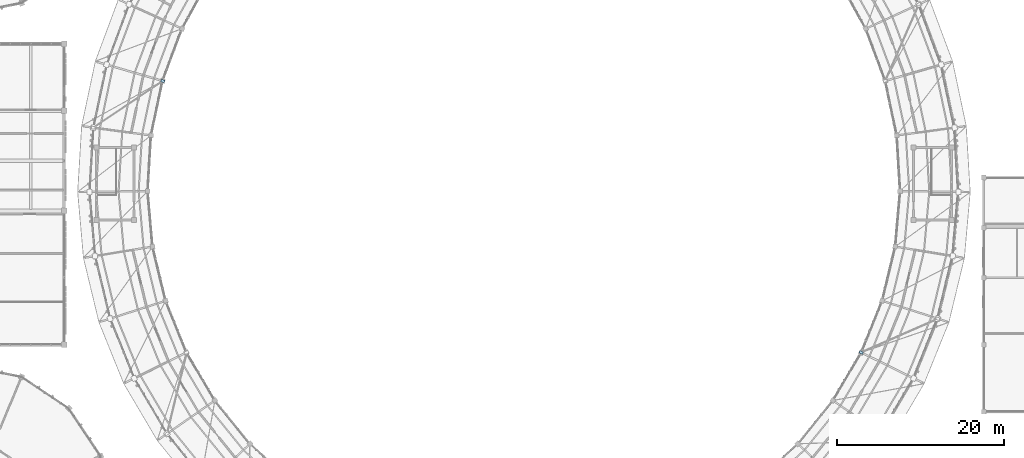
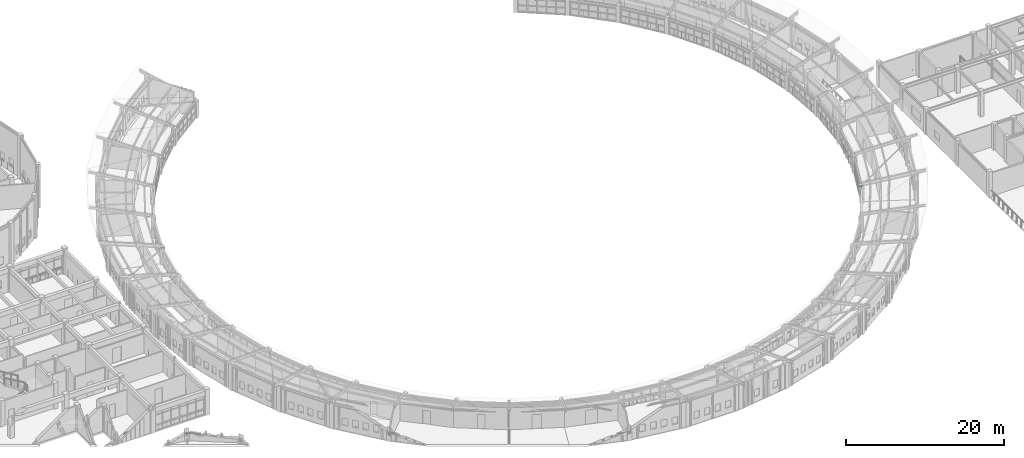
# One storey, part 113 of 149: 2 plates.
"""IFC4 building model written with IfcOpenShell, lengths in metres."""

import ifcopenshell
import ifcopenshell.guid

model = None  # the IFC model being written
_history = None  # IfcOwnerHistory: only IFC2X3 demands one
_inside = {}  # id of a spatial element -> (the spatial element, [elements in it])
_under = {}  # id of a project, library or spatial element -> (it, [spatial elements below it])
_declared = {}  # id of a project -> (the project, [libraries it declares])
_typed = {}  # id of a type object -> (the type object, [elements of that type])
_made_of = {}  # id of a material, layer set ... -> (it, [elements and type objects made of it])


def new_model(schema):
    """Start an empty IFC model of exactly this schema.

    Asked for "IFC4X3", IfcOpenShell would pick the latest addendum, in which some entities
    have other attributes; the version numbers below select the first issue.
    IFC2X3 requires an IfcOwnerHistory on every rooted entity: one is made here for all.
    """
    global model, _history
    if schema == "IFC4X3":
        model = ifcopenshell.file(schema_version=(4, 3, 0, 0))
    else:
        model = ifcopenshell.file(schema=schema)
    _inside.clear()
    _under.clear()
    _declared.clear()
    _typed.clear()
    _made_of.clear()
    _history = None
    if model.schema == "IFC2X3":
        org = make("IfcOrganization", Name="unknown")
        user = make(
            "IfcPersonAndOrganization",
            ThePerson=make("IfcPerson", FamilyName="unknown"),
            TheOrganization=org,
        )
        app = make(
            "IfcApplication",
            ApplicationDeveloper=org,
            Version="unknown",
            ApplicationFullName="unknown",
            ApplicationIdentifier="unknown",
        )
        _history = make(
            "IfcOwnerHistory",
            OwningUser=user,
            OwningApplication=app,
            ChangeAction="ADDED",
            CreationDate=0,
        )
    return model


def make(cls, **values):
    """One entity of the class cls with the attributes given. An attribute that is None is left unset."""
    return model.create_entity(
        cls, **{name: value for name, value in values.items() if value is not None}
    )


def rooted(cls, **values):
    """An entity with a GlobalId (a new one), such as an element, a storey or a relation."""
    return make(cls, GlobalId=ifcopenshell.guid.new(), OwnerHistory=_history, **values)


def si_unit(unit_type, name, prefix=None):
    """IfcSIUnit, for example si_unit("LENGTHUNIT", "METRE", prefix="MILLI")."""
    return make("IfcSIUnit", UnitType=unit_type, Prefix=prefix, Name=name)


def assignment(units):
    """IfcUnitAssignment: the units of a project."""
    return None if units is None else make("IfcUnitAssignment", Units=units)


def point(xyz):
    """IfcCartesianPoint."""
    return None if xyz is None else make("IfcCartesianPoint", Coordinates=xyz)


def direction(xyz):
    """IfcDirection."""
    return None if xyz is None else make("IfcDirection", DirectionRatios=xyz)


def frame(location, z_axis=None, x_axis=None):
    """IfcAxis2Placement3D, a coordinate frame: its origin and axes. An axis left out is left unset."""
    return make(
        "IfcAxis2Placement3D",
        Location=point(location),
        Axis=direction(z_axis),
        RefDirection=direction(x_axis),
    )


def frame_2d(location, x_axis=None):
    """IfcAxis2Placement2D, a coordinate frame in the plane: its origin and x axis."""
    return make(
        "IfcAxis2Placement2D", Location=point(location), RefDirection=direction(x_axis)
    )


def origin():
    """The frame at (0, 0, 0) with its axes left unset."""
    return frame((0.0, 0.0, 0.0))


def origin_2d():
    """The frame at (0, 0) in the plane with its x axis left unset."""
    return frame_2d((0.0, 0.0))


def place(relative_to, where):
    """IfcLocalPlacement: puts the frame where relative to a parent placement (None: the world)."""
    return make(
        "IfcLocalPlacement", PlacementRelTo=relative_to, RelativePlacement=where
    )


def context(
    kind, dimensions, precision=None, world=None, true_north=None, identifier=None
):
    """IfcGeometricRepresentationContext, for example the 3D "Model" context."""
    return make(
        "IfcGeometricRepresentationContext",
        ContextIdentifier=identifier,
        ContextType=kind,
        CoordinateSpaceDimension=dimensions,
        Precision=precision,
        WorldCoordinateSystem=world,
        TrueNorth=true_north,
    )


def subcontext(parent, identifier, kind, view, scale=None):
    """IfcGeometricRepresentationSubContext, for example "Body" below "Model"."""
    return make(
        "IfcGeometricRepresentationSubContext",
        ContextIdentifier=identifier,
        ContextType=kind,
        ParentContext=parent,
        TargetScale=scale,
        TargetView=view,
    )


def project(units=None, contexts=None):
    """IfcProject with its units and contexts."""
    return rooted(
        "IfcProject",
        Name="project",
        RepresentationContexts=contexts,
        UnitsInContext=assignment(units),
    )


def spatial(cls, under=None, at=None, **own):
    """A site, building, storey or space (cls), placed at a placement, below another one or the project."""
    s = rooted(cls, ObjectPlacement=at, **own)
    if under is not None:
        _under.setdefault(under.id(), (under, []))[1].append(s)
    return s


def profile(cls, at=None, kind="AREA", **sizes):
    """A parametric profile (cls). Its sizes go by their IFC names, for example OverallWidth=200.0."""
    return make(cls, ProfileType=kind, Position=at, **sizes)


def rectangle(**sizes):
    """IfcRectangleProfileDef."""
    return profile("IfcRectangleProfileDef", **sizes)


def extrude(swept, where, along, depth):
    """IfcExtrudedAreaSolid: the profile swept, set in the frame where, extruded along a direction by depth."""
    return make(
        "IfcExtrudedAreaSolid",
        SweptArea=swept,
        Position=where,
        ExtrudedDirection=direction(along),
        Depth=depth,
    )


def shape(context_of_items, identifier, shape_type, items):
    """IfcShapeRepresentation: the items that make up one representation, for example the "Body"."""
    return make(
        "IfcShapeRepresentation",
        ContextOfItems=context_of_items,
        RepresentationIdentifier=identifier,
        RepresentationType=shape_type,
        Items=items,
    )


def material(Name=None, Category=None):
    """IfcMaterial."""
    return make("IfcMaterial", Name=Name, Category=Category)


def layer(
    of_material, thickness, ventilated=None, Name=None, Category=None, Priority=None
):
    """IfcMaterialLayer: one layer of a wall or slab, of a material (None: an air gap)."""
    return make(
        "IfcMaterialLayer",
        Material=of_material,
        LayerThickness=thickness,
        IsVentilated=ventilated,
        Name=Name,
        Category=Category,
        Priority=Priority,
    )


def layer_set(layers, Name=None):
    """IfcMaterialLayerSet."""
    return make("IfcMaterialLayerSet", MaterialLayers=layers, LayerSetName=Name)


def made_of(thing, what):
    """Note that an element or type object is made of a material, layer set ...; save() writes the relation."""
    if what is not None:
        _made_of.setdefault(what.id(), (what, []))[1].append(thing)
    return thing


def type_object(cls, material=None, **own):
    """A type object (cls), such as IfcWallType, which elements share."""
    return made_of(rooted(cls, **own), material)


def element(
    cls,
    number,
    at=None,
    inside=None,
    cuts=None,
    type_object=None,
    material=None,
    context=None,
    identifier="Body",
    shape_type=None,
    held_by="IfcProductDefinitionShape",
    body=None,
    shapes=None,
    **own,
):
    """One element of the class cls, such as IfcWall. Its Tag is "e" and its number.

    at: its placement. inside: the storey or other place that contains it. cuts: it is an
    opening in that element (IfcRelVoidsElement). A single representation is given by context,
    identifier, shape_type and body (its items); several are given by shapes. held_by: the class
    of the entity that holds the representations. save() writes the other relations.
    """
    e = rooted(cls, Tag="e%d" % number, ObjectPlacement=at, **own)
    if body is not None:
        shapes = [shape(context, identifier, shape_type, body)]
    if shapes is not None:
        e.Representation = make(held_by, Representations=shapes)
    if inside is not None:
        _inside.setdefault(inside.id(), (inside, []))[1].append(e)
    if cuts is not None:
        rooted(
            "IfcRelVoidsElement", RelatingBuildingElement=cuts, RelatedOpeningElement=e
        )
    if type_object is not None:
        _typed.setdefault(type_object.id(), (type_object, []))[1].append(e)
    return made_of(e, material)


def aggregate(whole, parts):
    """IfcRelAggregates: a whole, such as a stair, and the parts it consists of."""
    return rooted("IfcRelAggregates", RelatingObject=whole, RelatedObjects=parts)


def save(model, path):
    """Write the relations noted so far, then the file.

    IfcRelAggregates (storeys below a building ...), IfcRelContainedInSpatialStructure (elements
    in a storey), IfcRelDefinesByType, IfcRelAssociatesMaterial and IfcRelDeclares: one each for
    every whole, place, type object, material and project.
    """
    for whole, parts in _under.values():
        aggregate(whole, parts)
    for where, things in _inside.values():
        rooted(
            "IfcRelContainedInSpatialStructure",
            RelatedElements=things,
            RelatingStructure=where,
        )
    for kind, things in _typed.values():
        rooted("IfcRelDefinesByType", RelatedObjects=things, RelatingType=kind)
    for what, things in _made_of.values():
        rooted("IfcRelAssociatesMaterial", RelatedObjects=things, RelatingMaterial=what)
    for by, libraries in _declared.values():
        rooted("IfcRelDeclares", RelatingContext=by, RelatedDefinitions=libraries)
    model.write(path)


model = new_model("IFC4")

# Units and contexts
model_context = context("Model", 3, precision=1e-05, world=origin(), true_north=direction((0.0, 1.0)))
body_context = subcontext(model_context, "Body", "Model", "MODEL_VIEW")
ifc_project = project(units=[si_unit("LENGTHUNIT", "METRE"), si_unit("AREAUNIT", "SQUARE_METRE"), si_unit("VOLUMEUNIT", "CUBIC_METRE"), si_unit("PLANEANGLEUNIT", "RADIAN"), si_unit("MASSUNIT", "GRAM", prefix="KILO")], contexts=[model_context])

# Site, building, storey
site_placement = place(None, origin())
site = spatial("IfcSite", under=ifc_project, at=site_placement, CompositionType="ELEMENT")
building_placement = place(site_placement, origin())
building = spatial("IfcBuilding", under=site, at=building_placement, Name="Celadon Cloister-Ring School", CompositionType="ELEMENT")
storey_placement = place(building_placement, frame((0.0, 0.0, 12.5)))
storey = spatial("IfcBuildingStorey", under=building, at=storey_placement, Name="L03", CompositionType="ELEMENT", Elevation=12.5)

# Plates
ifc_material = material(Name="Structural steel S355JR", Category="steel")
ifc_layer = layer(ifc_material, 0.011962890625)
ifc_layer_set = layer_set([ifc_layer], Name="Structural steel S355JR")
plate_type = type_object("IfcPlateType", Name="PT-04", PredefinedType="SHEET", material=ifc_layer_set)
for number, where, z_axis, x_axis, name in (
    (1, (43.787109375, 71.554931640625, 2.44384765625), (0.0, 0.0, 1.0), (-0.960293685677, 0.278991106039, 0.0), "Gusset Plate 0041"),
    (2, (127.34912109375, 39.075927734375, 2.44384765625), (0.0, 0.0, 1.0), (0.896641036785, -0.442758231039, 0.0), "Gusset Plate 0049"),
):
    element("IfcPlate", number, at=place(storey_placement, frame(where, z_axis=z_axis, x_axis=x_axis)), inside=storey, type_object=plate_type, Name=name, PredefinedType="SHEET", context=body_context, shape_type="SweptSolid", body=[
        extrude(rectangle(XDim=0.449951171875, YDim=0.300048828125, at=origin_2d()), origin(), (0.0, 0.0, 1.0), 0.011962890625),
    ])

save(model, "model.ifc")
